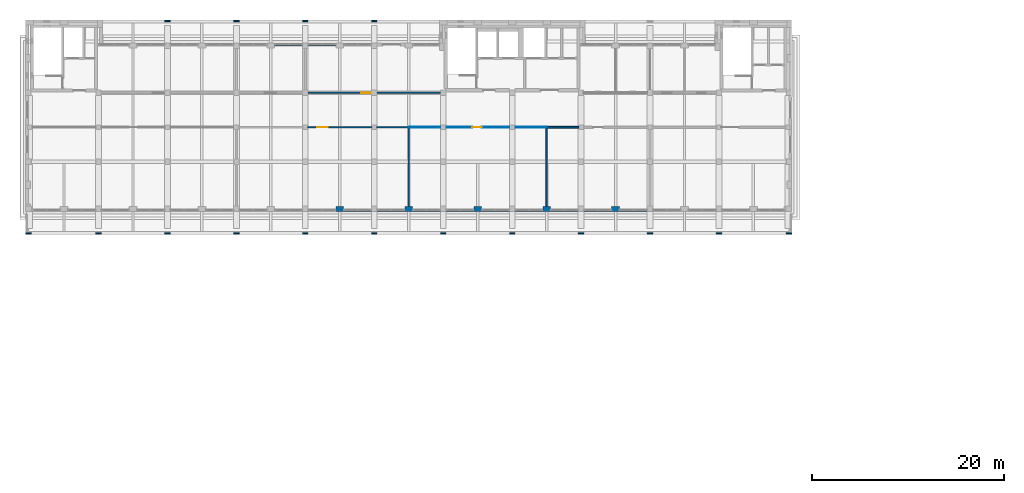
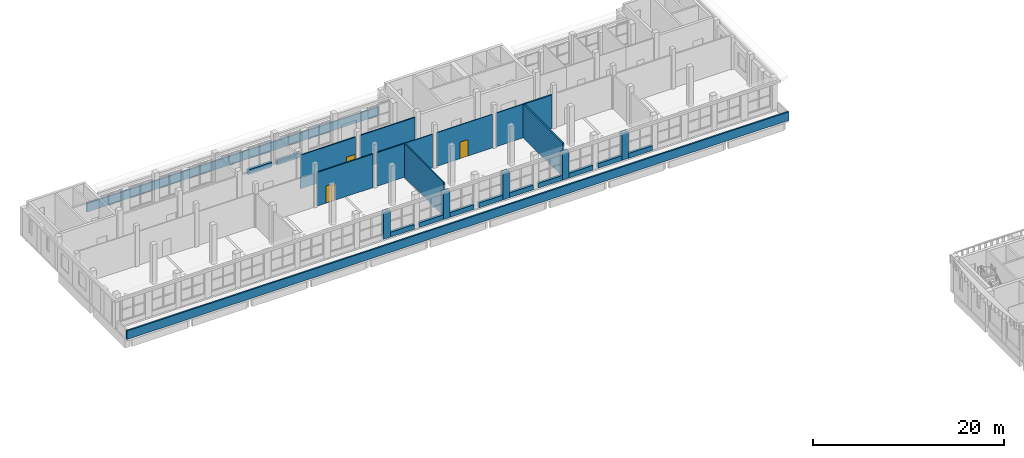
# One storey, part 18 of 30: 28 walls, 3 doors, 3 openings.
"""IFC4 building model written with IfcOpenShell, lengths in metres."""

from ifc_helpers import new_model, si_unit, direction, frame, frame_2d, origin, place, context, subcontext, project, spatial, rectangle, extrude, material, layer, layer_set, type_object, element, fill, save


model = new_model("IFC4")

# Units and contexts
model_context = context("Model", 3, precision=1e-05, world=origin(), true_north=direction((0.0, 1.0)))
body_context = subcontext(model_context, "Body", "Model", "MODEL_VIEW")
ifc_project = project(units=[si_unit("LENGTHUNIT", "METRE"), si_unit("AREAUNIT", "SQUARE_METRE"), si_unit("VOLUMEUNIT", "CUBIC_METRE"), si_unit("PLANEANGLEUNIT", "RADIAN"), si_unit("MASSUNIT", "GRAM", prefix="KILO")], contexts=[model_context])

# Site, building, storey
site_placement = place(None, origin())
site = spatial("IfcSite", under=ifc_project, at=site_placement, CompositionType="ELEMENT")
building_placement = place(site_placement, origin())
building = spatial("IfcBuilding", under=site, at=building_placement, Name="Ussher Court Research Institute", CompositionType="ELEMENT")
storey_placement = place(building_placement, frame((0.0, 0.0, 27.89990234375)))
storey = spatial("IfcBuildingStorey", under=building, at=storey_placement, Name="L06", CompositionType="ELEMENT", Elevation=27.89990234375)

# Walls
ifc_material_1 = material(Name="Plasterboard on steel studs with mineral wool", Category="steel")
ifc_layer_1 = layer(ifc_material_1, 0.179931640625)
ifc_layer_set_1 = layer_set([ifc_layer_1], Name="Plasterboard on steel studs with mineral wool")
wall_type_1 = type_object("IfcWallType", Name="Acoustic twin-stud partition 180", PredefinedType="PARTITIONING", material=ifc_layer_set_1)
wall_1_placement = place(storey_placement, frame((57.0, 79.60009765625, 0.0), z_axis=(0.0, 0.0, 1.0), x_axis=(1.0, 0.0, 0.0)))
element("IfcWall", 1, at=wall_1_placement, inside=storey, type_object=wall_type_1, Name="Partition", PredefinedType="PARTITIONING", context=body_context, shape_type="SweptSolid", body=[
    extrude(rectangle(XDim=3.375, YDim=0.179931640625, at=frame_2d((1.6875, 0.0))), origin(), (0.0, 0.0, 1.0), 4.300048828125),
])
wall_2_placement = place(storey_placement, frame((57.0, 71.300048828125, 0.0), z_axis=(0.0, 0.0, 1.0), x_axis=(0.0, 1.0, 0.0)))
element("IfcWall", 2, at=wall_2_placement, inside=storey, type_object=wall_type_1, Name="Partition", PredefinedType="PARTITIONING", context=body_context, shape_type="SweptSolid", body=[
    extrude(rectangle(XDim=8.25, YDim=0.179931640625, at=frame_2d((4.125, 0.0))), origin(), (0.0, 0.0, 1.0), 4.300048828125),
])
ifc_material_2 = material(Name="Blockwork with cream render", Category="masonry")
ifc_layer_2 = layer(ifc_material_2, 0.300048828125)
ifc_layer_set_2 = layer_set([ifc_layer_2], Name="Blockwork with cream render")
wall_type_2 = type_object("IfcWallType", Name="External wall 300 cream render", PredefinedType="SOLIDWALL", material=ifc_layer_set_2)
wall_3_placement = place(storey_placement, frame((67.5, 70.949951171875, 0.0), z_axis=(0.0, 0.0, 1.0), x_axis=(-1.0, 0.0, 0.0)))
element("IfcWall", 3, at=wall_3_placement, inside=storey, type_object=wall_type_2, Name="Plinth wall EW1 L06", PredefinedType="SOLIDWALL", context=body_context, shape_type="SweptSolid", body=[
    extrude(rectangle(XDim=2.89990234375, YDim=0.300048828125, at=frame_2d((1.449951171875, 0.0))), origin(), (0.0, 0.0, 1.0), 0.60009765625),
])
for number, where, z_axis, x_axis, name in (
    (4, (63.800048828125, 70.949951171875, 0.0), (0.0, 0.0, 1.0), (-1.0, 0.0, 0.0), "Plinth wall EW1 L06"),
    (5, (60.300048828125, 70.949951171875, 0.0), (0.0, 0.0, 1.0), (-1.0, 0.0, 0.0), "Plinth wall EW1 L06"),
    (6, (56.60009765625, 70.949951171875, 0.0), (0.0, 0.0, 1.0), (-1.0, 0.0, 0.0), "Plinth wall EW1 L06"),
    (7, (53.10009765625, 70.949951171875, 0.0), (0.0, 0.0, 1.0), (-1.0, 0.0, 0.0), "Plinth wall EW1 L06"),
):
    element("IfcWall", number, at=place(storey_placement, frame(where, z_axis=z_axis, x_axis=x_axis)), inside=storey, type_object=wall_type_2, Name=name, PredefinedType="SOLIDWALL", context=body_context, shape_type="SweptSolid", body=[
        extrude(rectangle(XDim=2.900146484375, YDim=0.300048828125, at=frame_2d((1.4501953125, 0.0))), origin(), (0.0, 0.0, 1.0), 0.60009765625),
    ])
for number, where, z_axis, x_axis, name in (
    (8, (49.39990234375, 70.949951171875, 0.0), (0.0, 0.0, 1.0), (-1.0, 0.0, 0.0), "Plinth wall EW1 L06"),
    (9, (45.89990234375, 70.949951171875, 0.0), (0.0, 0.0, 1.0), (-1.0, 0.0, 0.0), "Plinth wall EW1 L06"),
    (10, (42.199951171875, 70.949951171875, 0.0), (0.0, 0.0, 1.0), (-1.0, 0.0, 0.0), "Plinth wall EW1 L06"),
    (11, (38.699951171875, 70.949951171875, 0.0), (0.0, 0.0, 1.0), (-1.0, 0.0, 0.0), "Plinth wall EW1 L06"),
    (12, (28.60009765625, 88.25, 0.0), (0.0, 0.0, 1.0), (1.0, 0.0, 0.0), "Plinth wall EW1 L06"),
    (13, (32.10009765625, 88.25, 0.0), (0.0, 0.0, 1.0), (1.0, 0.0, 0.0), "Plinth wall EW1 L06"),
):
    element("IfcWall", number, at=place(storey_placement, frame(where, z_axis=z_axis, x_axis=x_axis)), inside=storey, type_object=wall_type_2, Name=name, PredefinedType="SOLIDWALL", context=body_context, shape_type="SweptSolid", body=[
        extrude(rectangle(XDim=2.89990234375, YDim=0.300048828125, at=frame_2d((1.449951171875, 0.0))), origin(), (0.0, 0.0, 1.0), 0.60009765625),
    ])

# Wall, opening, door
ifc_material_3 = material(Name="Plastered blockwork", Category="masonry")
ifc_layer_3 = layer(ifc_material_3, 0.14990234375)
ifc_layer_set_3 = layer_set([ifc_layer_3], Name="Plastered blockwork")
wall_type_3 = type_object("IfcWallType", Name="Fire partition blockwork 150 EI 60", PredefinedType="PARTITIONING", material=ifc_layer_set_3)
wall_4_placement = place(storey_placement, frame((32.074951171875, 83.199951171875, 0.0), z_axis=(0.0, 0.0, 1.0), x_axis=(1.0, 0.0, 0.0)))
wall_4 = element("IfcWall", 14, at=wall_4_placement, inside=storey, type_object=wall_type_3, Name="Fire partition", PredefinedType="PARTITIONING", context=body_context, shape_type="SweptSolid", body=[
    extrude(rectangle(XDim=6.650146484375, YDim=0.14990234375, at=frame_2d((3.3251953125, 0.0))), origin(), (0.0, 0.0, 1.0), 4.300048828125),
])
opening_1_placement = place(wall_4_placement, frame((5.574951171875, 0.0, 0.0)))
opening_1 = element("IfcOpeningElement", 15, at=opening_1_placement, cuts=wall_4, Name="Opening D06008", PredefinedType="OPENING", context=body_context, shape_type="SweptSolid", body=[
    extrude(rectangle(XDim=1.0, YDim=2.10009765625, at=frame_2d((0.5, 1.050048828125))), frame((0.0, 0.0849609375, 0.0), z_axis=(0.0, -1.0, 0.0), x_axis=(1.0, 0.0, 0.0)), (0.0, 0.0, 1.0), 0.169921875),
])
ifc_material_4 = material(Name="Painted steel faced fire door", Category="steel")
door_type_1 = type_object("IfcDoorType", Name="Store door 1000x2100 FD60", OperationType="NOTDEFINED", PredefinedType="DOOR", material=ifc_material_4)
door_1_placement = place(opening_1_placement, origin())
door_1 = element("IfcDoor", 16, at=door_1_placement, inside=storey, type_object=door_type_1, Name="Door D06008", OperationType="SINGLE_SWING_RIGHT", OverallHeight=2.10009765625, OverallWidth=1.0, PredefinedType="DOOR", context=body_context, shape_type="SweptSolid", body=[
    extrude(rectangle(XDim=1.0, YDim=2.10009765625, at=frame_2d((0.5, 1.050048828125))), frame((0.0, 0.02490234375, 0.0), z_axis=(0.0, -1.0, 0.0), x_axis=(1.0, 0.0, 0.0)), (0.0, 0.0, 1.0), 0.050048828125),
])
fill(opening_1, door_1)

# Wall
wall_5_placement = place(storey_placement, frame((39.27490234375, 83.199951171875, 0.0), z_axis=(0.0, 0.0, 1.0), x_axis=(1.0, 0.0, 0.0)))
element("IfcWall", 17, at=wall_5_placement, inside=storey, type_object=wall_type_3, Name="Fire partition", PredefinedType="PARTITIONING", context=body_context, shape_type="SweptSolid", body=[
    extrude(rectangle(XDim=6.650146484375, YDim=0.14990234375, at=frame_2d((3.3251953125, 0.0))), origin(), (0.0, 0.0, 1.0), 4.300048828125),
])

# Wall, opening, door
ifc_material_5 = material(Name="Plastered blockwork", Category="masonry")
ifc_layer_4 = layer(ifc_material_5, 0.139892578125)
ifc_layer_set_4 = layer_set([ifc_layer_4], Name="Plastered blockwork")
wall_type_4 = type_object("IfcWallType", Name="Laboratory blockwork partition 140", PredefinedType="PARTITIONING", material=ifc_layer_set_4)
wall_6_placement = place(storey_placement, frame((38.77490234375, 79.60009765625, 0.0), z_axis=(0.0, 0.0, 1.0), x_axis=(-1.0, 0.0, 0.0)))
wall_6 = element("IfcWall", 18, at=wall_6_placement, inside=storey, type_object=wall_type_4, Name="Partition", PredefinedType="PARTITIONING", context=body_context, shape_type="SweptSolid", body=[
    extrude(rectangle(XDim=6.75, YDim=0.139892578125, at=frame_2d((3.375, 0.0))), origin(), (0.0, 0.0, 1.0), 4.300048828125),
])
opening_2_placement = place(wall_6_placement, frame((4.625, 0.0, 0.0)))
opening_2 = element("IfcOpeningElement", 19, at=opening_2_placement, cuts=wall_6, Name="Opening D06007", PredefinedType="OPENING", context=body_context, shape_type="SweptSolid", body=[
    extrude(rectangle(XDim=1.10009765625, YDim=2.199951171875, at=frame_2d((0.550048828125, 1.10009765625))), frame((0.0, 0.080078125, 0.0), z_axis=(0.0, -1.0, 0.0), x_axis=(1.0, 0.0, 0.0)), (0.0, 0.0, 1.0), 0.159912109375),
])
ifc_material_6 = material(Name="Veneered timber door", Category="wood")
door_type_2 = type_object("IfcDoorType", Name="Computing laboratory door 1100x2200", OperationType="NOTDEFINED", PredefinedType="DOOR", material=ifc_material_6)
door_2_placement = place(opening_2_placement, origin())
door_2 = element("IfcDoor", 20, at=door_2_placement, inside=storey, type_object=door_type_2, Name="Door D06007", OperationType="SINGLE_SWING_RIGHT", OverallHeight=2.199951171875, OverallWidth=1.10009765625, PredefinedType="DOOR", context=body_context, shape_type="SweptSolid", body=[
    extrude(rectangle(XDim=1.10009765625, YDim=2.199951171875, at=frame_2d((0.550048828125, 1.10009765625))), frame((0.0, 0.02490234375, 0.0), z_axis=(0.0, -1.0, 0.0), x_axis=(1.0, 0.0, 0.0)), (0.0, 0.0, 1.0), 0.050048828125),
])
fill(opening_2, door_2)

# Walls
wall_7_placement = place(storey_placement, frame((39.22509765625, 79.60009765625, 0.0), z_axis=(0.0, 0.0, 1.0), x_axis=(1.0, 0.0, 0.0)))
element("IfcWall", 21, at=wall_7_placement, inside=storey, type_object=wall_type_4, Name="Partition", PredefinedType="PARTITIONING", context=body_context, shape_type="SweptSolid", body=[
    extrude(rectangle(XDim=3.375, YDim=0.139892578125, at=frame_2d((1.6875, 0.0))), origin(), (0.0, 0.0, 1.0), 4.300048828125),
])
wall_8_placement = place(storey_placement, frame((42.60009765625, 71.300048828125, 0.0), z_axis=(0.0, 0.0, 1.0), x_axis=(0.0, 1.0, 0.0)))
element("IfcWall", 22, at=wall_8_placement, inside=storey, type_object=wall_type_4, Name="Partition", PredefinedType="PARTITIONING", context=body_context, shape_type="SweptSolid", body=[
    extrude(rectangle(XDim=8.25, YDim=0.139892578125, at=frame_2d((4.125, 0.0))), origin(), (0.0, 0.0, 1.0), 4.300048828125),
])
ifc_material_7 = material(Name="Blockwork with cream render", Category="masonry")
ifc_layer_5 = layer(ifc_material_7, 0.179931640625)
ifc_layer_set_5 = layer_set([ifc_layer_5], Name="Blockwork with cream render")
wall_type_5 = type_object("IfcWallType", Name="Parapet 180 cream render", PredefinedType="PARAPET", material=ifc_layer_set_5)
wall_9_placement = place(storey_placement, frame((2.60009765625, 68.489990234375, 0.0), z_axis=(0.0, 0.0, 1.0), x_axis=(1.0, 0.0, 0.0)))
element("IfcWall", 23, at=wall_9_placement, inside=storey, type_object=wall_type_5, Name="Parapet PW1", PredefinedType="PARAPET", context=body_context, shape_type="SweptSolid", body=[
    extrude(rectangle(XDim=80.0, YDim=0.179931640625, at=frame_2d((40.0, 0.0))), origin(), (0.0, 0.0, 1.0), 1.10009765625),
])
wall_10_placement = place(storey_placement, frame((45.800048828125, 90.7099609375, 0.0), z_axis=(0.0, 0.0, 1.0), x_axis=(-1.0, 0.0, 0.0)))
element("IfcWall", 24, at=wall_10_placement, inside=storey, type_object=wall_type_5, Name="Parapet PW1", PredefinedType="PARAPET", context=body_context, shape_type="SweptSolid", body=[
    extrude(rectangle(XDim=35.199951171875, YDim=0.179931640625, at=frame_2d((17.60009765625, 0.0))), origin(), (0.0, 0.0, 1.0), 1.10009765625),
])
ifc_material_8 = material(Name="Plastered blockwork", Category="masonry")
ifc_layer_6 = layer(ifc_material_8, 0.10009765625)
ifc_layer_set_6 = layer_set([ifc_layer_6], Name="Plastered blockwork")
wall_type_6 = type_object("IfcWallType", Name="Partition plastered blockwork 100", PredefinedType="PARTITIONING", material=ifc_layer_set_6)
wall_11_placement = place(storey_placement, frame((42.60009765625, 79.60009765625, 0.0), z_axis=(0.0, 0.0, 1.0), x_axis=(1.0, 0.0, 0.0)))
element("IfcWall", 25, at=wall_11_placement, inside=storey, type_object=wall_type_6, Name="Partition", PredefinedType="PARTITIONING", context=body_context, shape_type="SweptSolid", body=[
    extrude(rectangle(XDim=3.375, YDim=0.10009765625, at=frame_2d((1.6875, 0.0))), origin(), (0.0, 0.0, 1.0), 4.300048828125),
])

# Wall, opening, door
wall_12_placement = place(storey_placement, frame((53.175048828125, 79.60009765625, 0.0), z_axis=(0.0, 0.0, 1.0), x_axis=(-1.0, 0.0, 0.0)))
wall_12 = element("IfcWall", 26, at=wall_12_placement, inside=storey, type_object=wall_type_6, Name="Partition", PredefinedType="PARTITIONING", context=body_context, shape_type="SweptSolid", body=[
    extrude(rectangle(XDim=6.75, YDim=0.10009765625, at=frame_2d((3.375, 0.0))), origin(), (0.0, 0.0, 1.0), 4.300048828125),
])
opening_3_placement = place(wall_12_placement, frame((2.925048828125, 0.0, 0.0)))
opening_3 = element("IfcOpeningElement", 27, at=opening_3_placement, cuts=wall_12, Name="Opening D06010", PredefinedType="OPENING", context=body_context, shape_type="SweptSolid", body=[
    extrude(rectangle(XDim=1.0, YDim=2.10009765625, at=frame_2d((0.5, 1.050048828125))), frame((0.0, 0.06005859375, 0.0), z_axis=(0.0, -1.0, 0.0), x_axis=(1.0, 0.0, 0.0)), (0.0, 0.0, 1.0), 0.1201171875),
])
ifc_material_9 = material(Name="Veneered timber door", Category="wood")
door_type_3 = type_object("IfcDoorType", Name="Lounge door 1000x2100", OperationType="NOTDEFINED", PredefinedType="DOOR", material=ifc_material_9)
door_3_placement = place(opening_3_placement, origin())
door_3 = element("IfcDoor", 28, at=door_3_placement, inside=storey, type_object=door_type_3, Name="Door D06010", OperationType="SINGLE_SWING_RIGHT", OverallHeight=2.10009765625, OverallWidth=1.0, PredefinedType="DOOR", context=body_context, shape_type="SweptSolid", body=[
    extrude(rectangle(XDim=1.0, YDim=2.10009765625, at=frame_2d((0.5, 1.050048828125))), frame((0.0, 0.02490234375, 0.0), z_axis=(0.0, -1.0, 0.0), x_axis=(1.0, 0.0, 0.0)), (0.0, 0.0, 1.0), 0.050048828125),
])
fill(opening_3, door_3)

# Walls
wall_13_placement = place(storey_placement, frame((53.625, 79.60009765625, 0.0), z_axis=(0.0, 0.0, 1.0), x_axis=(1.0, 0.0, 0.0)))
element("IfcWall", 29, at=wall_13_placement, inside=storey, type_object=wall_type_6, Name="Partition", PredefinedType="PARTITIONING", context=body_context, shape_type="SweptSolid", body=[
    extrude(rectangle(XDim=3.375, YDim=0.10009765625, at=frame_2d((1.6875, 0.0))), origin(), (0.0, 0.0, 1.0), 4.300048828125),
])
ifc_material_10 = material(Name="Blockwork with cream render", Category="masonry")
ifc_layer_7 = layer(ifc_material_10, 0.5)
ifc_layer_set_7 = layer_set([ifc_layer_7], Name="Blockwork with cream render")
wall_type_7 = type_object("IfcWallType", Name="Pier 800x500 cream render", PredefinedType="SOLIDWALL", material=ifc_layer_set_7)
wall_14_placement = place(storey_placement, frame((64.60009765625, 71.050048828125, 0.0), z_axis=(0.0, 0.0, 1.0), x_axis=(-1.0, 0.0, 0.0)))
element("IfcWall", 30, at=wall_14_placement, inside=storey, type_object=wall_type_7, Name="Pier PR1 L06", PredefinedType="SOLIDWALL", context=body_context, shape_type="SweptSolid", body=[
    extrude(rectangle(XDim=0.800048828125, YDim=0.5, at=frame_2d((0.39990234375, 0.0))), origin(), (0.0, 0.0, 1.0), 3.400146484375),
])
wall_15_placement = place(storey_placement, frame((57.39990234375, 71.050048828125, 0.0), z_axis=(0.0, 0.0, 1.0), x_axis=(-1.0, 0.0, 0.0)))
element("IfcWall", 31, at=wall_15_placement, inside=storey, type_object=wall_type_7, Name="Pier PR1 L06", PredefinedType="SOLIDWALL", context=body_context, shape_type="SweptSolid", body=[
    extrude(rectangle(XDim=0.7998046875, YDim=0.5, at=frame_2d((0.39990234375, 0.0))), origin(), (0.0, 0.0, 1.0), 3.400146484375),
])
for number, where, z_axis, x_axis, name in (
    (32, (50.199951171875, 71.050048828125, 0.0), (0.0, 0.0, 1.0), (-1.0, 0.0, 0.0), "Pier PR1 L06"),
    (33, (43.0, 71.050048828125, 0.0), (0.0, 0.0, 1.0), (-1.0, 0.0, 0.0), "Pier PR1 L06"),
    (34, (35.800048828125, 71.050048828125, 0.0), (0.0, 0.0, 1.0), (-1.0, 0.0, 0.0), "Pier PR1 L06"),
):
    element("IfcWall", number, at=place(storey_placement, frame(where, z_axis=z_axis, x_axis=x_axis)), inside=storey, type_object=wall_type_7, Name=name, PredefinedType="SOLIDWALL", context=body_context, shape_type="SweptSolid", body=[
        extrude(rectangle(XDim=0.800048828125, YDim=0.5, at=frame_2d((0.39990234375, 0.0))), origin(), (0.0, 0.0, 1.0), 3.400146484375),
    ])

save(model, "model.ifc")
